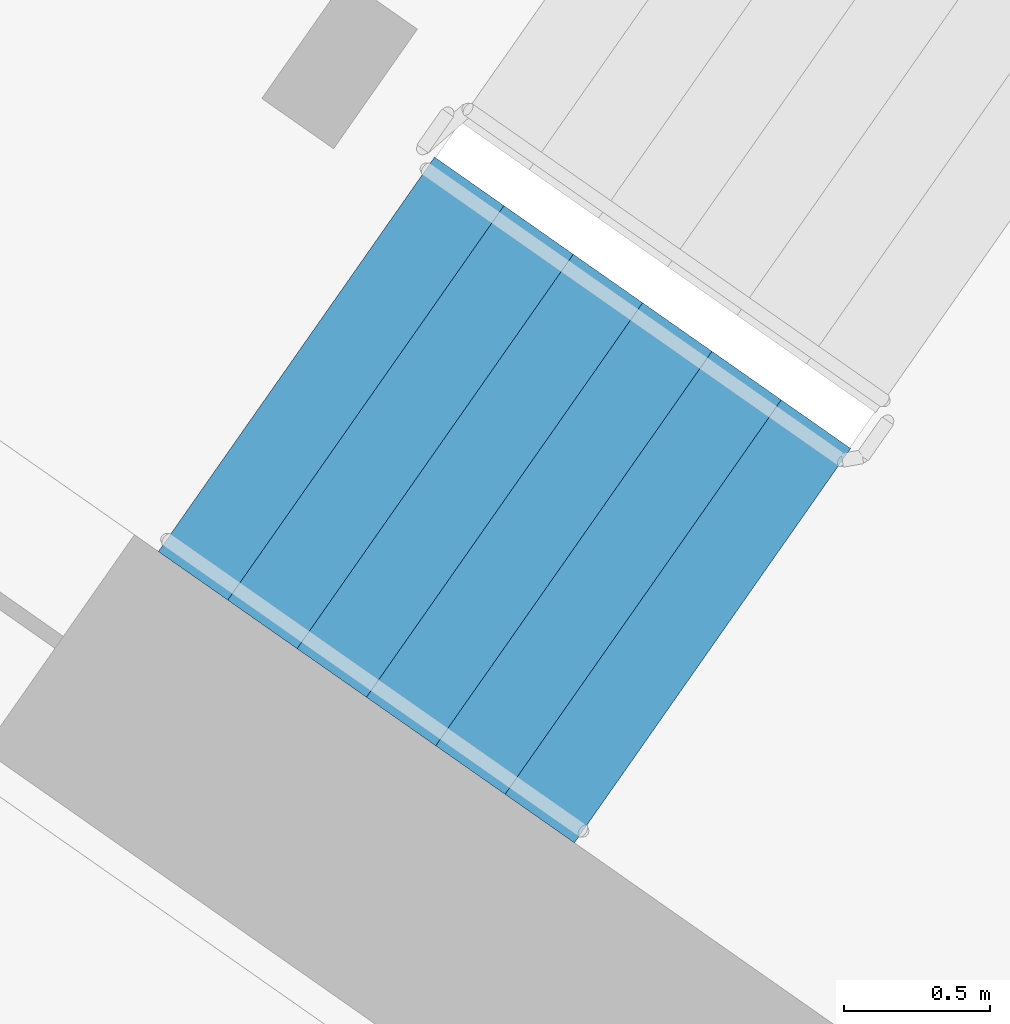
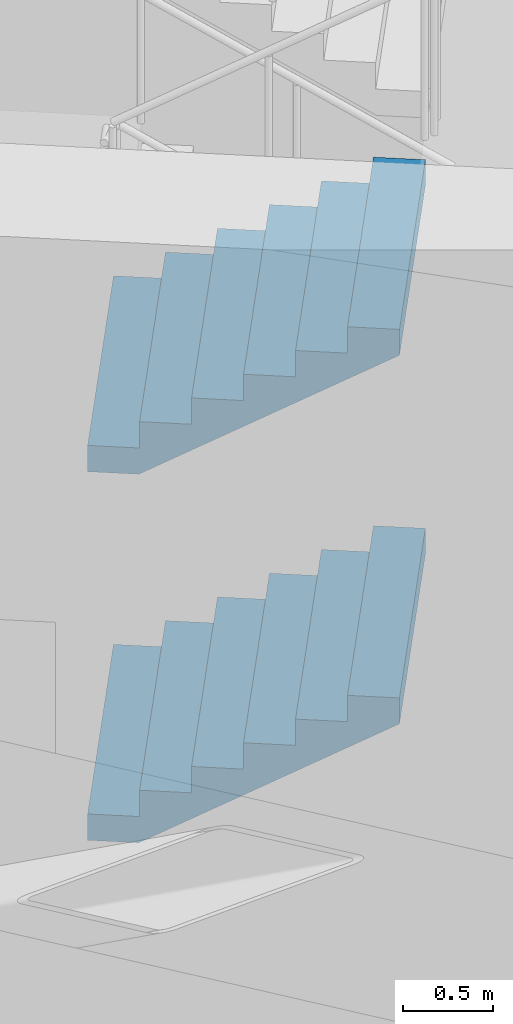
# One storey, part 13 of 25: 2 stair flights, 1 element without a shape of its own.
"""IFC4 building model written with IfcOpenShell, lengths in metres."""

from ifc_helpers import new_model, si_unit, direction, frame, origin, place, context, subcontext, project, spatial, faceted_brep, material, type_object, element, aggregate, save


model = new_model("IFC4")

# Units and contexts
model_context = context("Model", 3, precision=1e-05, world=origin(), true_north=direction((0.0, 1.0)))
body_context = subcontext(model_context, "Body", "Model", "MODEL_VIEW")
ifc_project = project(units=[si_unit("LENGTHUNIT", "METRE"), si_unit("AREAUNIT", "SQUARE_METRE"), si_unit("VOLUMEUNIT", "CUBIC_METRE"), si_unit("PLANEANGLEUNIT", "RADIAN"), si_unit("MASSUNIT", "GRAM", prefix="KILO")], contexts=[model_context])

# Site, building, storey
site_placement = place(None, origin())
site = spatial("IfcSite", under=ifc_project, at=site_placement, CompositionType="ELEMENT")
building_placement = place(site_placement, origin())
building = spatial("IfcBuilding", under=site, at=building_placement, Name="Qamariyya Broadcast Tower", CompositionType="ELEMENT")
storey_placement = place(building_placement, frame((0.0, 0.0, 89.89990234375)))
storey = spatial("IfcBuildingStorey", under=building, at=storey_placement, Name="L19", CompositionType="ELEMENT", Elevation=89.89990234375)

# Stair, stair flights
ifc_material = material(Name="Concrete C50/60", Category="concrete")
stair_type = type_object("IfcStairType", Name="Exit stair 28 risers of 179 mm", PredefinedType="HALF_TURN_STAIR", material=ifc_material)
stair_placement = place(storey_placement, origin())
stair = element("IfcStair", 1, at=stair_placement, inside=storey, type_object=stair_type, Name="L19 Stair W1", PredefinedType="HALF_TURN_STAIR")
stair_flight_type = type_object("IfcStairFlightType", Name="Exit stair flight 7 risers of 179 mm", PredefinedType="STRAIGHT", material=ifc_material)
stair_flight_1_placement = place(storey_placement, frame((-47.06884765625, -56.982666015625, 0.0), z_axis=(0.0, 0.0, 1.0), x_axis=(0.819152044289, -0.573576436351, 0.0)))
stair_flight_1 = element("IfcStairFlight", 2, at=stair_flight_1_placement, type_object=stair_flight_type, Name="ST-W1 flight 1", NumberOfRisers=7, NumberOfTreads=6, PredefinedType="STRAIGHT", RiserHeight=0.178571429, TreadLength=0.29, context=body_context, shape_type="Brep", body=[
    faceted_brep([(0.0, 0.824951171875, 0.0), (0.0, 0.824951171875, 0.178466796875), (0.2900390625, 0.824951171875, 0.178466796875), (0.2900390625, 0.824951171875, 0.357177734375), (0.580078125, 0.824951171875, 0.357177734375), (0.580078125, 0.824951171875, 0.53564453125), (0.8701171875, 0.824951171875, 0.53564453125), (0.8701171875, 0.824951171875, 0.71435546875), (1.159912109375, 0.824951171875, 0.71435546875), (1.159912109375, 0.824951171875, 0.892822265625), (1.449951171875, 0.824951171875, 0.892822265625), (1.449951171875, 0.824951171875, 1.071533203125), (1.739990234375, 0.824951171875, 1.071533203125), (1.739990234375, 0.824951171875, 0.8955078125), (0.285888671875, 0.824951171875, 0.0), (0.285888671875, -0.824951171875, 0.0), (1.739990234375, -0.824951171875, 0.8955078125), (1.739990234375, -0.824951171875, 1.071533203125), (1.449951171875, -0.824951171875, 1.071533203125), (1.449951171875, -0.824951171875, 0.892822265625), (1.159912109375, -0.824951171875, 0.892822265625), (1.159912109375, -0.824951171875, 0.71435546875), (0.8701171875, -0.824951171875, 0.71435546875), (0.8701171875, -0.824951171875, 0.53564453125), (0.580078125, -0.824951171875, 0.53564453125), (0.580078125, -0.824951171875, 0.357177734375), (0.2900390625, -0.824951171875, 0.357177734375), (0.2900390625, -0.824951171875, 0.178466796875), (0.0, -0.824951171875, 0.178466796875), (0.0, -0.824951171875, 0.0), (0.0, 0.10009765625, 0.0), (0.0, 0.086669921875, 0.0), (0.0, 0.0732421875, 0.0), (0.0, 0.06005859375, 0.0), (0.0, 0.046630859375, 0.0), (0.0, 0.033447265625, 0.0), (0.0, 0.02001953125, 0.0), (0.0, 0.006591796875, 0.0), (0.0, -0.006591796875, 0.0), (0.0, -0.02001953125, 0.0), (0.0, -0.033447265625, 0.0), (0.0, -0.046630859375, 0.0), (0.0, -0.06005859375, 0.0), (0.0, -0.0732421875, 0.0), (0.0, -0.086669921875, 0.0), (0.0, -0.10009765625, 0.0), (0.0, -0.10009765625, 0.178466796875), (0.0, -0.086669921875, 0.178466796875), (0.0, -0.0732421875, 0.178466796875), (0.0, -0.06005859375, 0.178466796875), (0.0, -0.046630859375, 0.178466796875), (0.0, -0.033447265625, 0.178466796875), (0.0, -0.02001953125, 0.178466796875), (0.0, -0.006591796875, 0.178466796875), (0.0, 0.006591796875, 0.178466796875), (0.0, 0.02001953125, 0.178466796875), (0.0, 0.033447265625, 0.178466796875), (0.0, 0.046630859375, 0.178466796875), (0.0, 0.06005859375, 0.178466796875), (0.0, 0.0732421875, 0.178466796875), (0.0, 0.086669921875, 0.178466796875), (0.0, 0.10009765625, 0.178466796875), (0.2900390625, -0.10009765625, 0.178466796875), (0.2900390625, -0.086669921875, 0.178466796875), (0.2900390625, -0.0732421875, 0.178466796875), (0.2900390625, -0.06005859375, 0.178466796875), (0.2900390625, -0.046630859375, 0.178466796875), (0.2900390625, -0.033447265625, 0.178466796875), (0.2900390625, -0.02001953125, 0.178466796875), (0.2900390625, -0.006591796875, 0.178466796875), (0.2900390625, 0.006591796875, 0.178466796875), (0.2900390625, 0.02001953125, 0.178466796875), (0.2900390625, 0.033447265625, 0.178466796875), (0.2900390625, 0.046630859375, 0.178466796875), (0.2900390625, 0.06005859375, 0.178466796875), (0.2900390625, 0.0732421875, 0.178466796875), (0.2900390625, 0.086669921875, 0.178466796875), (0.2900390625, 0.10009765625, 0.178466796875), (0.2900390625, -0.10009765625, 0.357177734375), (0.2900390625, -0.086669921875, 0.357177734375), (0.2900390625, -0.0732421875, 0.357177734375), (0.2900390625, -0.06005859375, 0.357177734375), (0.2900390625, -0.046630859375, 0.357177734375), (0.2900390625, -0.033447265625, 0.357177734375), (0.2900390625, -0.02001953125, 0.357177734375), (0.2900390625, -0.006591796875, 0.357177734375), (0.2900390625, 0.006591796875, 0.357177734375), (0.2900390625, 0.02001953125, 0.357177734375), (0.2900390625, 0.033447265625, 0.357177734375), (0.2900390625, 0.046630859375, 0.357177734375), (0.2900390625, 0.06005859375, 0.357177734375), (0.2900390625, 0.0732421875, 0.357177734375), (0.2900390625, 0.086669921875, 0.357177734375), (0.2900390625, 0.10009765625, 0.357177734375), (0.580078125, -0.10009765625, 0.357177734375), (0.580078125, -0.086669921875, 0.357177734375), (0.580078125, -0.0732421875, 0.357177734375), (0.580078125, -0.06005859375, 0.357177734375), (0.580078125, -0.046630859375, 0.357177734375), (0.580078125, -0.033447265625, 0.357177734375), (0.580078125, -0.02001953125, 0.357177734375), (0.580078125, -0.006591796875, 0.357177734375), (0.580078125, 0.006591796875, 0.357177734375), (0.580078125, 0.02001953125, 0.357177734375), (0.580078125, 0.033447265625, 0.357177734375), (0.580078125, 0.046630859375, 0.357177734375), (0.580078125, 0.06005859375, 0.357177734375), (0.580078125, 0.0732421875, 0.357177734375), (0.580078125, 0.086669921875, 0.357177734375), (0.580078125, 0.10009765625, 0.357177734375), (0.580078125, -0.10009765625, 0.53564453125), (0.580078125, -0.086669921875, 0.53564453125), (0.580078125, -0.0732421875, 0.53564453125), (0.580078125, -0.06005859375, 0.53564453125), (0.580078125, -0.046630859375, 0.53564453125), (0.580078125, -0.033447265625, 0.53564453125), (0.580078125, -0.02001953125, 0.53564453125), (0.580078125, -0.006591796875, 0.53564453125), (0.580078125, 0.006591796875, 0.53564453125), (0.580078125, 0.02001953125, 0.53564453125), (0.580078125, 0.033447265625, 0.53564453125), (0.580078125, 0.046630859375, 0.53564453125), (0.580078125, 0.06005859375, 0.53564453125), (0.580078125, 0.0732421875, 0.53564453125), (0.580078125, 0.086669921875, 0.53564453125), (0.580078125, 0.10009765625, 0.53564453125), (0.8701171875, -0.10009765625, 0.53564453125), (0.8701171875, -0.086669921875, 0.53564453125), (0.8701171875, -0.0732421875, 0.53564453125), (0.8701171875, -0.06005859375, 0.53564453125), (0.8701171875, -0.046630859375, 0.53564453125), (0.8701171875, -0.033447265625, 0.53564453125), (0.8701171875, -0.02001953125, 0.53564453125), (0.8701171875, -0.006591796875, 0.53564453125), (0.8701171875, 0.006591796875, 0.53564453125), (0.8701171875, 0.02001953125, 0.53564453125), (0.8701171875, 0.033447265625, 0.53564453125), (0.8701171875, 0.046630859375, 0.53564453125), (0.8701171875, 0.06005859375, 0.53564453125), (0.8701171875, 0.0732421875, 0.53564453125), (0.8701171875, 0.086669921875, 0.53564453125), (0.8701171875, 0.10009765625, 0.53564453125), (0.8701171875, -0.10009765625, 0.71435546875), (0.8701171875, -0.086669921875, 0.71435546875), (0.8701171875, -0.0732421875, 0.71435546875), (0.8701171875, -0.06005859375, 0.71435546875), (0.8701171875, -0.046630859375, 0.71435546875), (0.8701171875, -0.033447265625, 0.71435546875), (0.8701171875, -0.02001953125, 0.71435546875), (0.8701171875, -0.006591796875, 0.71435546875), (0.8701171875, 0.006591796875, 0.71435546875), (0.8701171875, 0.02001953125, 0.71435546875), (0.8701171875, 0.033447265625, 0.71435546875), (0.8701171875, 0.046630859375, 0.71435546875), (0.8701171875, 0.06005859375, 0.71435546875), (0.8701171875, 0.0732421875, 0.71435546875), (0.8701171875, 0.086669921875, 0.71435546875), (0.8701171875, 0.10009765625, 0.71435546875), (1.159912109375, -0.10009765625, 0.71435546875), (1.159912109375, -0.086669921875, 0.71435546875), (1.159912109375, -0.0732421875, 0.71435546875), (1.159912109375, -0.06005859375, 0.71435546875), (1.159912109375, -0.046630859375, 0.71435546875), (1.159912109375, -0.033447265625, 0.71435546875), (1.159912109375, -0.02001953125, 0.71435546875), (1.159912109375, -0.006591796875, 0.71435546875), (1.159912109375, 0.006591796875, 0.71435546875), (1.159912109375, 0.02001953125, 0.71435546875), (1.159912109375, 0.033447265625, 0.71435546875), (1.159912109375, 0.046630859375, 0.71435546875), (1.159912109375, 0.06005859375, 0.71435546875), (1.159912109375, 0.0732421875, 0.71435546875), (1.159912109375, 0.086669921875, 0.71435546875), (1.159912109375, 0.10009765625, 0.71435546875), (1.159912109375, -0.10009765625, 0.892822265625), (1.159912109375, -0.086669921875, 0.892822265625), (1.159912109375, -0.0732421875, 0.892822265625), (1.159912109375, -0.06005859375, 0.892822265625), (1.159912109375, -0.046630859375, 0.892822265625), (1.159912109375, -0.033447265625, 0.892822265625), (1.159912109375, -0.02001953125, 0.892822265625), (1.159912109375, -0.006591796875, 0.892822265625), (1.159912109375, 0.006591796875, 0.892822265625), (1.159912109375, 0.02001953125, 0.892822265625), (1.159912109375, 0.033447265625, 0.892822265625), (1.159912109375, 0.046630859375, 0.892822265625), (1.159912109375, 0.06005859375, 0.892822265625), (1.159912109375, 0.0732421875, 0.892822265625), (1.159912109375, 0.086669921875, 0.892822265625), (1.159912109375, 0.10009765625, 0.892822265625), (1.449951171875, -0.10009765625, 0.892822265625), (1.449951171875, -0.086669921875, 0.892822265625), (1.449951171875, -0.0732421875, 0.892822265625), (1.449951171875, -0.06005859375, 0.892822265625), (1.449951171875, -0.046630859375, 0.892822265625), (1.449951171875, -0.033447265625, 0.892822265625), (1.449951171875, -0.02001953125, 0.892822265625), (1.449951171875, -0.006591796875, 0.892822265625), (1.449951171875, 0.006591796875, 0.892822265625), (1.449951171875, 0.02001953125, 0.892822265625), (1.449951171875, 0.033447265625, 0.892822265625), (1.449951171875, 0.046630859375, 0.892822265625), (1.449951171875, 0.06005859375, 0.892822265625), (1.449951171875, 0.0732421875, 0.892822265625), (1.449951171875, 0.086669921875, 0.892822265625), (1.449951171875, 0.10009765625, 0.892822265625), (1.449951171875, -0.10009765625, 1.071533203125), (1.449951171875, -0.086669921875, 1.071533203125), (1.449951171875, -0.0732421875, 1.071533203125), (1.449951171875, -0.06005859375, 1.071533203125), (1.449951171875, -0.046630859375, 1.071533203125), (1.449951171875, -0.033447265625, 1.071533203125), (1.449951171875, -0.02001953125, 1.071533203125), (1.449951171875, -0.006591796875, 1.071533203125), (1.449951171875, 0.006591796875, 1.071533203125), (1.449951171875, 0.02001953125, 1.071533203125), (1.449951171875, 0.033447265625, 1.071533203125), (1.449951171875, 0.046630859375, 1.071533203125), (1.449951171875, 0.06005859375, 1.071533203125), (1.449951171875, 0.0732421875, 1.071533203125), (1.449951171875, 0.086669921875, 1.071533203125), (1.449951171875, 0.10009765625, 1.071533203125), (1.739990234375, -0.10009765625, 1.071533203125), (1.739990234375, -0.086669921875, 1.071533203125), (1.739990234375, -0.0732421875, 1.071533203125), (1.739990234375, -0.06005859375, 1.071533203125), (1.739990234375, -0.046630859375, 1.071533203125), (1.739990234375, -0.033447265625, 1.071533203125), (1.739990234375, -0.02001953125, 1.071533203125), (1.739990234375, -0.006591796875, 1.071533203125), (1.739990234375, 0.006591796875, 1.071533203125), (1.739990234375, 0.02001953125, 1.071533203125), (1.739990234375, 0.033447265625, 1.071533203125), (1.739990234375, 0.046630859375, 1.071533203125), (1.739990234375, 0.06005859375, 1.071533203125), (1.739990234375, 0.0732421875, 1.071533203125), (1.739990234375, 0.086669921875, 1.071533203125), (1.739990234375, 0.10009765625, 1.071533203125), (1.739990234375, -0.10009765625, 0.8955078125), (1.739990234375, -0.086669921875, 0.8955078125), (1.739990234375, -0.0732421875, 0.8955078125), (1.739990234375, -0.06005859375, 0.8955078125), (1.739990234375, -0.046630859375, 0.8955078125), (1.739990234375, -0.033447265625, 0.8955078125), (1.739990234375, -0.02001953125, 0.8955078125), (1.739990234375, -0.006591796875, 0.8955078125), (1.739990234375, 0.006591796875, 0.8955078125), (1.739990234375, 0.02001953125, 0.8955078125), (1.739990234375, 0.033447265625, 0.8955078125), (1.739990234375, 0.046630859375, 0.8955078125), (1.739990234375, 0.06005859375, 0.8955078125), (1.739990234375, 0.0732421875, 0.8955078125), (1.739990234375, 0.086669921875, 0.8955078125), (1.739990234375, 0.10009765625, 0.8955078125), (0.285888671875, -0.10009765625, 0.0), (0.285888671875, -0.086669921875, 0.0), (0.285888671875, -0.0732421875, 0.0), (0.285888671875, -0.06005859375, 0.0), (0.285888671875, -0.046630859375, 0.0), (0.285888671875, -0.033447265625, 0.0), (0.285888671875, -0.02001953125, 0.0), (0.285888671875, -0.006591796875, 0.0), (0.285888671875, 0.006591796875, 0.0), (0.285888671875, 0.02001953125, 0.0), (0.285888671875, 0.033447265625, 0.0), (0.285888671875, 0.046630859375, 0.0), (0.285888671875, 0.06005859375, 0.0), (0.285888671875, 0.0732421875, 0.0), (0.285888671875, 0.086669921875, 0.0), (0.285888671875, 0.10009765625, 0.0)], [[[0, 1, 2, 3, 4, 5, 6, 7, 8, 9, 10, 11, 12, 13, 14]], [[15, 16, 17, 18, 19, 20, 21, 22, 23, 24, 25, 26, 27, 28, 29]], [[0, 30, 31, 32, 33, 34, 35, 36, 37, 38, 39, 40, 41, 42, 43, 44, 45, 29, 28, 46, 47, 48, 49, 50, 51, 52, 53, 54, 55, 56, 57, 58, 59, 60, 61, 1]], [[1, 61, 60, 59, 58, 57, 56, 55, 54, 53, 52, 51, 50, 49, 48, 47, 46, 28, 27, 62, 63, 64, 65, 66, 67, 68, 69, 70, 71, 72, 73, 74, 75, 76, 77, 2]], [[2, 77, 76, 75, 74, 73, 72, 71, 70, 69, 68, 67, 66, 65, 64, 63, 62, 27, 26, 78, 79, 80, 81, 82, 83, 84, 85, 86, 87, 88, 89, 90, 91, 92, 93, 3]], [[3, 93, 92, 91, 90, 89, 88, 87, 86, 85, 84, 83, 82, 81, 80, 79, 78, 26, 25, 94, 95, 96, 97, 98, 99, 100, 101, 102, 103, 104, 105, 106, 107, 108, 109, 4]], [[4, 109, 108, 107, 106, 105, 104, 103, 102, 101, 100, 99, 98, 97, 96, 95, 94, 25, 24, 110, 111, 112, 113, 114, 115, 116, 117, 118, 119, 120, 121, 122, 123, 124, 125, 5]], [[5, 125, 124, 123, 122, 121, 120, 119, 118, 117, 116, 115, 114, 113, 112, 111, 110, 24, 23, 126, 127, 128, 129, 130, 131, 132, 133, 134, 135, 136, 137, 138, 139, 140, 141, 6]], [[6, 141, 140, 139, 138, 137, 136, 135, 134, 133, 132, 131, 130, 129, 128, 127, 126, 23, 22, 142, 143, 144, 145, 146, 147, 148, 149, 150, 151, 152, 153, 154, 155, 156, 157, 7]], [[7, 157, 156, 155, 154, 153, 152, 151, 150, 149, 148, 147, 146, 145, 144, 143, 142, 22, 21, 158, 159, 160, 161, 162, 163, 164, 165, 166, 167, 168, 169, 170, 171, 172, 173, 8]], [[8, 173, 172, 171, 170, 169, 168, 167, 166, 165, 164, 163, 162, 161, 160, 159, 158, 21, 20, 174, 175, 176, 177, 178, 179, 180, 181, 182, 183, 184, 185, 186, 187, 188, 189, 9]], [[9, 189, 188, 187, 186, 185, 184, 183, 182, 181, 180, 179, 178, 177, 176, 175, 174, 20, 19, 190, 191, 192, 193, 194, 195, 196, 197, 198, 199, 200, 201, 202, 203, 204, 205, 10]], [[10, 205, 204, 203, 202, 201, 200, 199, 198, 197, 196, 195, 194, 193, 192, 191, 190, 19, 18, 206, 207, 208, 209, 210, 211, 212, 213, 214, 215, 216, 217, 218, 219, 220, 221, 11]], [[11, 221, 220, 219, 218, 217, 216, 215, 214, 213, 212, 211, 210, 209, 208, 207, 206, 18, 17, 222, 223, 224, 225, 226, 227, 228, 229, 230, 231, 232, 233, 234, 235, 236, 237, 12]], [[12, 237, 236, 235, 234, 233, 232, 231, 230, 229, 228, 227, 226, 225, 224, 223, 222, 17, 16, 238, 239, 240, 241, 242, 243, 244, 245, 246, 247, 248, 249, 250, 251, 252, 253, 13]], [[13, 253, 252, 251, 250, 249, 248, 247, 246, 245, 244, 243, 242, 241, 240, 239, 238, 16, 15, 254, 255, 256, 257, 258, 259, 260, 261, 262, 263, 264, 265, 266, 267, 268, 269, 14]], [[14, 269, 268, 267, 266, 265, 264, 263, 262, 261, 260, 259, 258, 257, 256, 255, 254, 15, 29, 45, 44, 43, 42, 41, 40, 39, 38, 37, 36, 35, 34, 33, 32, 31, 30, 0]]]),
])
stair_flight_2_placement = place(storey_placement, frame((-47.06884765625, -56.982666015625, 2.5), z_axis=(0.0, 0.0, 1.0), x_axis=(0.819152044289, -0.573576436351, 0.0)))
stair_flight_2 = element("IfcStairFlight", 3, at=stair_flight_2_placement, type_object=stair_flight_type, Name="ST-W1 flight 3", NumberOfRisers=7, NumberOfTreads=6, PredefinedType="STRAIGHT", RiserHeight=0.178571429, TreadLength=0.29, context=body_context, shape_type="Brep", body=[
    faceted_brep([(0.0, 0.824951171875, 0.0), (0.0, 0.824951171875, 0.178466796875), (0.2900390625, 0.824951171875, 0.178466796875), (0.2900390625, 0.824951171875, 0.357177734375), (0.580078125, 0.824951171875, 0.357177734375), (0.580078125, 0.824951171875, 0.53564453125), (0.8701171875, 0.824951171875, 0.53564453125), (0.8701171875, 0.824951171875, 0.71435546875), (1.159912109375, 0.824951171875, 0.71435546875), (1.159912109375, 0.824951171875, 0.892822265625), (1.449951171875, 0.824951171875, 0.892822265625), (1.449951171875, 0.824951171875, 1.071533203125), (1.739990234375, 0.824951171875, 1.071533203125), (1.739990234375, 0.824951171875, 0.8955078125), (0.285888671875, 0.824951171875, 0.0), (0.285888671875, -0.824951171875, 0.0), (1.739990234375, -0.824951171875, 0.8955078125), (1.739990234375, -0.824951171875, 1.071533203125), (1.449951171875, -0.824951171875, 1.071533203125), (1.449951171875, -0.824951171875, 0.892822265625), (1.159912109375, -0.824951171875, 0.892822265625), (1.159912109375, -0.824951171875, 0.71435546875), (0.8701171875, -0.824951171875, 0.71435546875), (0.8701171875, -0.824951171875, 0.53564453125), (0.580078125, -0.824951171875, 0.53564453125), (0.580078125, -0.824951171875, 0.357177734375), (0.2900390625, -0.824951171875, 0.357177734375), (0.2900390625, -0.824951171875, 0.178466796875), (0.0, -0.824951171875, 0.178466796875), (0.0, -0.824951171875, 0.0), (0.0, 0.10009765625, 0.0), (0.0, 0.086669921875, 0.0), (0.0, 0.0732421875, 0.0), (0.0, 0.06005859375, 0.0), (0.0, 0.046630859375, 0.0), (0.0, 0.033447265625, 0.0), (0.0, 0.02001953125, 0.0), (0.0, 0.006591796875, 0.0), (0.0, -0.006591796875, 0.0), (0.0, -0.02001953125, 0.0), (0.0, -0.033447265625, 0.0), (0.0, -0.046630859375, 0.0), (0.0, -0.06005859375, 0.0), (0.0, -0.0732421875, 0.0), (0.0, -0.086669921875, 0.0), (0.0, -0.10009765625, 0.0), (0.0, -0.10009765625, 0.178466796875), (0.0, -0.086669921875, 0.178466796875), (0.0, -0.0732421875, 0.178466796875), (0.0, -0.06005859375, 0.178466796875), (0.0, -0.046630859375, 0.178466796875), (0.0, -0.033447265625, 0.178466796875), (0.0, -0.02001953125, 0.178466796875), (0.0, -0.006591796875, 0.178466796875), (0.0, 0.006591796875, 0.178466796875), (0.0, 0.02001953125, 0.178466796875), (0.0, 0.033447265625, 0.178466796875), (0.0, 0.046630859375, 0.178466796875), (0.0, 0.06005859375, 0.178466796875), (0.0, 0.0732421875, 0.178466796875), (0.0, 0.086669921875, 0.178466796875), (0.0, 0.10009765625, 0.178466796875), (0.2900390625, -0.10009765625, 0.178466796875), (0.2900390625, -0.086669921875, 0.178466796875), (0.2900390625, -0.0732421875, 0.178466796875), (0.2900390625, -0.06005859375, 0.178466796875), (0.2900390625, -0.046630859375, 0.178466796875), (0.2900390625, -0.033447265625, 0.178466796875), (0.2900390625, -0.02001953125, 0.178466796875), (0.2900390625, -0.006591796875, 0.178466796875), (0.2900390625, 0.006591796875, 0.178466796875), (0.2900390625, 0.02001953125, 0.178466796875), (0.2900390625, 0.033447265625, 0.178466796875), (0.2900390625, 0.046630859375, 0.178466796875), (0.2900390625, 0.06005859375, 0.178466796875), (0.2900390625, 0.0732421875, 0.178466796875), (0.2900390625, 0.086669921875, 0.178466796875), (0.2900390625, 0.10009765625, 0.178466796875), (0.2900390625, -0.10009765625, 0.357177734375), (0.2900390625, -0.086669921875, 0.357177734375), (0.2900390625, -0.0732421875, 0.357177734375), (0.2900390625, -0.06005859375, 0.357177734375), (0.2900390625, -0.046630859375, 0.357177734375), (0.2900390625, -0.033447265625, 0.357177734375), (0.2900390625, -0.02001953125, 0.357177734375), (0.2900390625, -0.006591796875, 0.357177734375), (0.2900390625, 0.006591796875, 0.357177734375), (0.2900390625, 0.02001953125, 0.357177734375), (0.2900390625, 0.033447265625, 0.357177734375), (0.2900390625, 0.046630859375, 0.357177734375), (0.2900390625, 0.06005859375, 0.357177734375), (0.2900390625, 0.0732421875, 0.357177734375), (0.2900390625, 0.086669921875, 0.357177734375), (0.2900390625, 0.10009765625, 0.357177734375), (0.580078125, -0.10009765625, 0.357177734375), (0.580078125, -0.086669921875, 0.357177734375), (0.580078125, -0.0732421875, 0.357177734375), (0.580078125, -0.06005859375, 0.357177734375), (0.580078125, -0.046630859375, 0.357177734375), (0.580078125, -0.033447265625, 0.357177734375), (0.580078125, -0.02001953125, 0.357177734375), (0.580078125, -0.006591796875, 0.357177734375), (0.580078125, 0.006591796875, 0.357177734375), (0.580078125, 0.02001953125, 0.357177734375), (0.580078125, 0.033447265625, 0.357177734375), (0.580078125, 0.046630859375, 0.357177734375), (0.580078125, 0.06005859375, 0.357177734375), (0.580078125, 0.0732421875, 0.357177734375), (0.580078125, 0.086669921875, 0.357177734375), (0.580078125, 0.10009765625, 0.357177734375), (0.580078125, -0.10009765625, 0.53564453125), (0.580078125, -0.086669921875, 0.53564453125), (0.580078125, -0.0732421875, 0.53564453125), (0.580078125, -0.06005859375, 0.53564453125), (0.580078125, -0.046630859375, 0.53564453125), (0.580078125, -0.033447265625, 0.53564453125), (0.580078125, -0.02001953125, 0.53564453125), (0.580078125, -0.006591796875, 0.53564453125), (0.580078125, 0.006591796875, 0.53564453125), (0.580078125, 0.02001953125, 0.53564453125), (0.580078125, 0.033447265625, 0.53564453125), (0.580078125, 0.046630859375, 0.53564453125), (0.580078125, 0.06005859375, 0.53564453125), (0.580078125, 0.0732421875, 0.53564453125), (0.580078125, 0.086669921875, 0.53564453125), (0.580078125, 0.10009765625, 0.53564453125), (0.8701171875, -0.10009765625, 0.53564453125), (0.8701171875, -0.086669921875, 0.53564453125), (0.8701171875, -0.0732421875, 0.53564453125), (0.8701171875, -0.06005859375, 0.53564453125), (0.8701171875, -0.046630859375, 0.53564453125), (0.8701171875, -0.033447265625, 0.53564453125), (0.8701171875, -0.02001953125, 0.53564453125), (0.8701171875, -0.006591796875, 0.53564453125), (0.8701171875, 0.006591796875, 0.53564453125), (0.8701171875, 0.02001953125, 0.53564453125), (0.8701171875, 0.033447265625, 0.53564453125), (0.8701171875, 0.046630859375, 0.53564453125), (0.8701171875, 0.06005859375, 0.53564453125), (0.8701171875, 0.0732421875, 0.53564453125), (0.8701171875, 0.086669921875, 0.53564453125), (0.8701171875, 0.10009765625, 0.53564453125), (0.8701171875, -0.10009765625, 0.71435546875), (0.8701171875, -0.086669921875, 0.71435546875), (0.8701171875, -0.0732421875, 0.71435546875), (0.8701171875, -0.06005859375, 0.71435546875), (0.8701171875, -0.046630859375, 0.71435546875), (0.8701171875, -0.033447265625, 0.71435546875), (0.8701171875, -0.02001953125, 0.71435546875), (0.8701171875, -0.006591796875, 0.71435546875), (0.8701171875, 0.006591796875, 0.71435546875), (0.8701171875, 0.02001953125, 0.71435546875), (0.8701171875, 0.033447265625, 0.71435546875), (0.8701171875, 0.046630859375, 0.71435546875), (0.8701171875, 0.06005859375, 0.71435546875), (0.8701171875, 0.0732421875, 0.71435546875), (0.8701171875, 0.086669921875, 0.71435546875), (0.8701171875, 0.10009765625, 0.71435546875), (1.159912109375, -0.10009765625, 0.71435546875), (1.159912109375, -0.086669921875, 0.71435546875), (1.159912109375, -0.0732421875, 0.71435546875), (1.159912109375, -0.06005859375, 0.71435546875), (1.159912109375, -0.046630859375, 0.71435546875), (1.159912109375, -0.033447265625, 0.71435546875), (1.159912109375, -0.02001953125, 0.71435546875), (1.159912109375, -0.006591796875, 0.71435546875), (1.159912109375, 0.006591796875, 0.71435546875), (1.159912109375, 0.02001953125, 0.71435546875), (1.159912109375, 0.033447265625, 0.71435546875), (1.159912109375, 0.046630859375, 0.71435546875), (1.159912109375, 0.06005859375, 0.71435546875), (1.159912109375, 0.0732421875, 0.71435546875), (1.159912109375, 0.086669921875, 0.71435546875), (1.159912109375, 0.10009765625, 0.71435546875), (1.159912109375, -0.10009765625, 0.892822265625), (1.159912109375, -0.086669921875, 0.892822265625), (1.159912109375, -0.0732421875, 0.892822265625), (1.159912109375, -0.06005859375, 0.892822265625), (1.159912109375, -0.046630859375, 0.892822265625), (1.159912109375, -0.033447265625, 0.892822265625), (1.159912109375, -0.02001953125, 0.892822265625), (1.159912109375, -0.006591796875, 0.892822265625), (1.159912109375, 0.006591796875, 0.892822265625), (1.159912109375, 0.02001953125, 0.892822265625), (1.159912109375, 0.033447265625, 0.892822265625), (1.159912109375, 0.046630859375, 0.892822265625), (1.159912109375, 0.06005859375, 0.892822265625), (1.159912109375, 0.0732421875, 0.892822265625), (1.159912109375, 0.086669921875, 0.892822265625), (1.159912109375, 0.10009765625, 0.892822265625), (1.449951171875, -0.10009765625, 0.892822265625), (1.449951171875, -0.086669921875, 0.892822265625), (1.449951171875, -0.0732421875, 0.892822265625), (1.449951171875, -0.06005859375, 0.892822265625), (1.449951171875, -0.046630859375, 0.892822265625), (1.449951171875, -0.033447265625, 0.892822265625), (1.449951171875, -0.02001953125, 0.892822265625), (1.449951171875, -0.006591796875, 0.892822265625), (1.449951171875, 0.006591796875, 0.892822265625), (1.449951171875, 0.02001953125, 0.892822265625), (1.449951171875, 0.033447265625, 0.892822265625), (1.449951171875, 0.046630859375, 0.892822265625), (1.449951171875, 0.06005859375, 0.892822265625), (1.449951171875, 0.0732421875, 0.892822265625), (1.449951171875, 0.086669921875, 0.892822265625), (1.449951171875, 0.10009765625, 0.892822265625), (1.449951171875, -0.10009765625, 1.071533203125), (1.449951171875, -0.086669921875, 1.071533203125), (1.449951171875, -0.0732421875, 1.071533203125), (1.449951171875, -0.06005859375, 1.071533203125), (1.449951171875, -0.046630859375, 1.071533203125), (1.449951171875, -0.033447265625, 1.071533203125), (1.449951171875, -0.02001953125, 1.071533203125), (1.449951171875, -0.006591796875, 1.071533203125), (1.449951171875, 0.006591796875, 1.071533203125), (1.449951171875, 0.02001953125, 1.071533203125), (1.449951171875, 0.033447265625, 1.071533203125), (1.449951171875, 0.046630859375, 1.071533203125), (1.449951171875, 0.06005859375, 1.071533203125), (1.449951171875, 0.0732421875, 1.071533203125), (1.449951171875, 0.086669921875, 1.071533203125), (1.449951171875, 0.10009765625, 1.071533203125), (1.739990234375, -0.10009765625, 1.071533203125), (1.739990234375, -0.086669921875, 1.071533203125), (1.739990234375, -0.0732421875, 1.071533203125), (1.739990234375, -0.06005859375, 1.071533203125), (1.739990234375, -0.046630859375, 1.071533203125), (1.739990234375, -0.033447265625, 1.071533203125), (1.739990234375, -0.02001953125, 1.071533203125), (1.739990234375, -0.006591796875, 1.071533203125), (1.739990234375, 0.006591796875, 1.071533203125), (1.739990234375, 0.02001953125, 1.071533203125), (1.739990234375, 0.033447265625, 1.071533203125), (1.739990234375, 0.046630859375, 1.071533203125), (1.739990234375, 0.06005859375, 1.071533203125), (1.739990234375, 0.0732421875, 1.071533203125), (1.739990234375, 0.086669921875, 1.071533203125), (1.739990234375, 0.10009765625, 1.071533203125), (1.739990234375, -0.10009765625, 0.8955078125), (1.739990234375, -0.086669921875, 0.8955078125), (1.739990234375, -0.0732421875, 0.8955078125), (1.739990234375, -0.06005859375, 0.8955078125), (1.739990234375, -0.046630859375, 0.8955078125), (1.739990234375, -0.033447265625, 0.8955078125), (1.739990234375, -0.02001953125, 0.8955078125), (1.739990234375, -0.006591796875, 0.8955078125), (1.739990234375, 0.006591796875, 0.8955078125), (1.739990234375, 0.02001953125, 0.8955078125), (1.739990234375, 0.033447265625, 0.8955078125), (1.739990234375, 0.046630859375, 0.8955078125), (1.739990234375, 0.06005859375, 0.8955078125), (1.739990234375, 0.0732421875, 0.8955078125), (1.739990234375, 0.086669921875, 0.8955078125), (1.739990234375, 0.10009765625, 0.8955078125), (0.285888671875, -0.10009765625, 0.0), (0.285888671875, -0.086669921875, 0.0), (0.285888671875, -0.0732421875, 0.0), (0.285888671875, -0.06005859375, 0.0), (0.285888671875, -0.046630859375, 0.0), (0.285888671875, -0.033447265625, 0.0), (0.285888671875, -0.02001953125, 0.0), (0.285888671875, -0.006591796875, 0.0), (0.285888671875, 0.006591796875, 0.0), (0.285888671875, 0.02001953125, 0.0), (0.285888671875, 0.033447265625, 0.0), (0.285888671875, 0.046630859375, 0.0), (0.285888671875, 0.06005859375, 0.0), (0.285888671875, 0.0732421875, 0.0), (0.285888671875, 0.086669921875, 0.0), (0.285888671875, 0.10009765625, 0.0)], [[[0, 1, 2, 3, 4, 5, 6, 7, 8, 9, 10, 11, 12, 13, 14]], [[15, 16, 17, 18, 19, 20, 21, 22, 23, 24, 25, 26, 27, 28, 29]], [[0, 30, 31, 32, 33, 34, 35, 36, 37, 38, 39, 40, 41, 42, 43, 44, 45, 29, 28, 46, 47, 48, 49, 50, 51, 52, 53, 54, 55, 56, 57, 58, 59, 60, 61, 1]], [[1, 61, 60, 59, 58, 57, 56, 55, 54, 53, 52, 51, 50, 49, 48, 47, 46, 28, 27, 62, 63, 64, 65, 66, 67, 68, 69, 70, 71, 72, 73, 74, 75, 76, 77, 2]], [[2, 77, 76, 75, 74, 73, 72, 71, 70, 69, 68, 67, 66, 65, 64, 63, 62, 27, 26, 78, 79, 80, 81, 82, 83, 84, 85, 86, 87, 88, 89, 90, 91, 92, 93, 3]], [[3, 93, 92, 91, 90, 89, 88, 87, 86, 85, 84, 83, 82, 81, 80, 79, 78, 26, 25, 94, 95, 96, 97, 98, 99, 100, 101, 102, 103, 104, 105, 106, 107, 108, 109, 4]], [[4, 109, 108, 107, 106, 105, 104, 103, 102, 101, 100, 99, 98, 97, 96, 95, 94, 25, 24, 110, 111, 112, 113, 114, 115, 116, 117, 118, 119, 120, 121, 122, 123, 124, 125, 5]], [[5, 125, 124, 123, 122, 121, 120, 119, 118, 117, 116, 115, 114, 113, 112, 111, 110, 24, 23, 126, 127, 128, 129, 130, 131, 132, 133, 134, 135, 136, 137, 138, 139, 140, 141, 6]], [[6, 141, 140, 139, 138, 137, 136, 135, 134, 133, 132, 131, 130, 129, 128, 127, 126, 23, 22, 142, 143, 144, 145, 146, 147, 148, 149, 150, 151, 152, 153, 154, 155, 156, 157, 7]], [[7, 157, 156, 155, 154, 153, 152, 151, 150, 149, 148, 147, 146, 145, 144, 143, 142, 22, 21, 158, 159, 160, 161, 162, 163, 164, 165, 166, 167, 168, 169, 170, 171, 172, 173, 8]], [[8, 173, 172, 171, 170, 169, 168, 167, 166, 165, 164, 163, 162, 161, 160, 159, 158, 21, 20, 174, 175, 176, 177, 178, 179, 180, 181, 182, 183, 184, 185, 186, 187, 188, 189, 9]], [[9, 189, 188, 187, 186, 185, 184, 183, 182, 181, 180, 179, 178, 177, 176, 175, 174, 20, 19, 190, 191, 192, 193, 194, 195, 196, 197, 198, 199, 200, 201, 202, 203, 204, 205, 10]], [[10, 205, 204, 203, 202, 201, 200, 199, 198, 197, 196, 195, 194, 193, 192, 191, 190, 19, 18, 206, 207, 208, 209, 210, 211, 212, 213, 214, 215, 216, 217, 218, 219, 220, 221, 11]], [[11, 221, 220, 219, 218, 217, 216, 215, 214, 213, 212, 211, 210, 209, 208, 207, 206, 18, 17, 222, 223, 224, 225, 226, 227, 228, 229, 230, 231, 232, 233, 234, 235, 236, 237, 12]], [[12, 237, 236, 235, 234, 233, 232, 231, 230, 229, 228, 227, 226, 225, 224, 223, 222, 17, 16, 238, 239, 240, 241, 242, 243, 244, 245, 246, 247, 248, 249, 250, 251, 252, 253, 13]], [[13, 253, 252, 251, 250, 249, 248, 247, 246, 245, 244, 243, 242, 241, 240, 239, 238, 16, 15, 254, 255, 256, 257, 258, 259, 260, 261, 262, 263, 264, 265, 266, 267, 268, 269, 14]], [[14, 269, 268, 267, 266, 265, 264, 263, 262, 261, 260, 259, 258, 257, 256, 255, 254, 15, 29, 45, 44, 43, 42, 41, 40, 39, 38, 37, 36, 35, 34, 33, 32, 31, 30, 0]]]),
])
aggregate(stair, [stair_flight_1, stair_flight_2])

save(model, "model.ifc")
